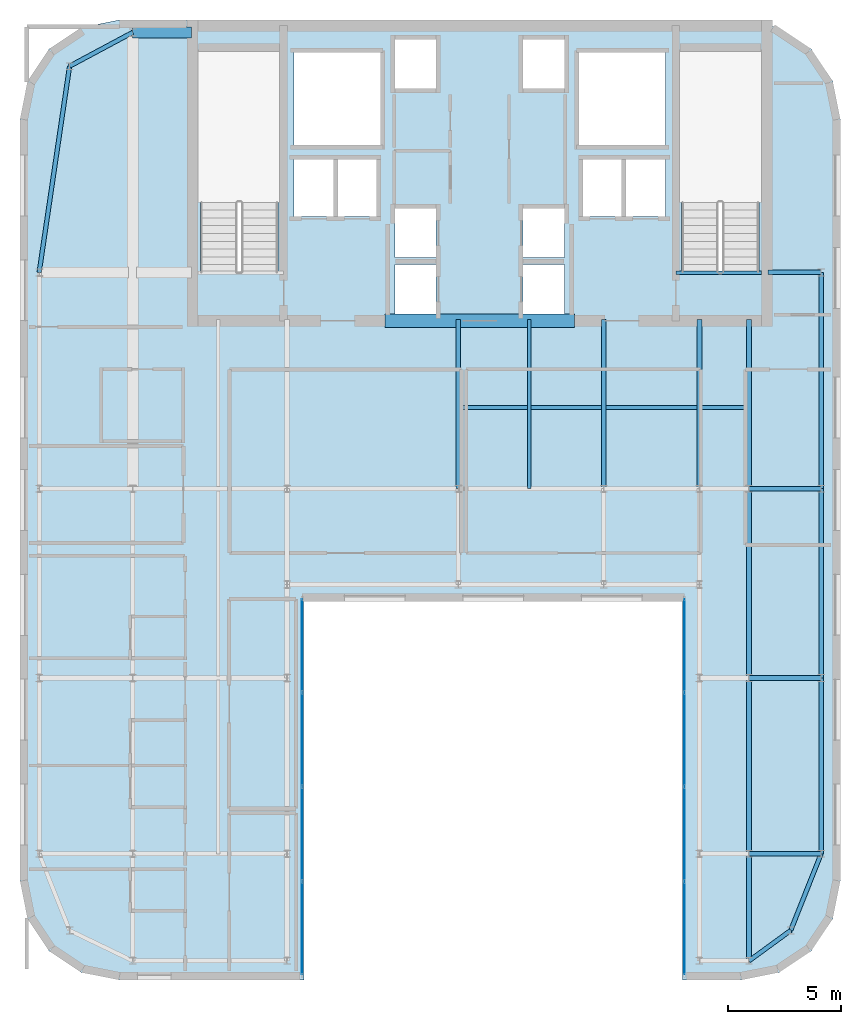
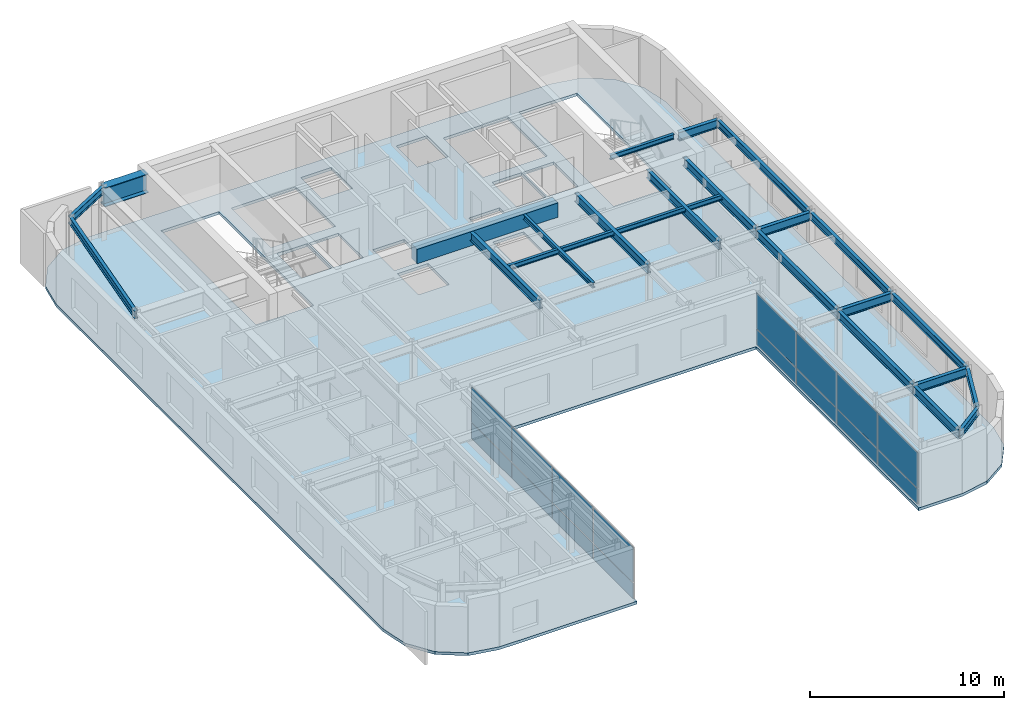
# One storey, part 12 of 18: 23 beams, 16 plates, 1 slab, 2 elements without a shape of their own.
"""IFC4 building model written with IfcOpenShell, lengths in metres."""

from ifc_helpers import new_model, si_unit, direction, frame, origin, origin_2d, place, context, subcontext, project, spatial, polyline, rectangle, i_section, outline, extrude, source, transform, mapped, material, layer, layer_set, material_profile, profile_set, type_object, type_shapes, element, aggregate, save


model = new_model("IFC4")

# Units and contexts
model_context = context("Model", 3, precision=1e-05, world=origin(), true_north=direction((0.0, 1.0)))
body_context = subcontext(model_context, "Body", "Model", "MODEL_VIEW")
ifc_project = project(units=[si_unit("LENGTHUNIT", "METRE"), si_unit("AREAUNIT", "SQUARE_METRE"), si_unit("VOLUMEUNIT", "CUBIC_METRE"), si_unit("PLANEANGLEUNIT", "RADIAN"), si_unit("MASSUNIT", "GRAM", prefix="KILO")], contexts=[model_context])

# Site, building, storey
site_placement = place(None, origin())
site = spatial("IfcSite", under=ifc_project, at=site_placement, CompositionType="ELEMENT")
building_placement = place(site_placement, origin())
building = spatial("IfcBuilding", under=site, at=building_placement, Name="Tolvann Quenvar Hotel", CompositionType="ELEMENT")
storey_placement = place(building_placement, frame((0.0, 0.0, 245.199951171875)))
storey = spatial("IfcBuildingStorey", under=building, at=storey_placement, Name="L65", CompositionType="ELEMENT", Elevation=245.199951171875)

# Beams
ifc_material_1 = material(Name="Concrete N50 (50 MPa)", Category="concrete")
ifc_material_profile_1 = material_profile(ifc_material_1, rectangle(XDim=0.60009765625, YDim=0.89990234375, at=origin_2d()), Name="RC600x900")
ifc_profile_set_1 = profile_set([ifc_material_profile_1], Name="Concrete N50 (50 MPa)")
beam_type_1 = type_object("IfcBeamType", Name="BM_LINT_RC600x900", PredefinedType="LINTEL", material=ifc_profile_set_1)
shared_shape_1 = source(origin(), body_context, "Body", "SweptSolid", [
    extrude(rectangle(XDim=0.60009765625, YDim=0.89990234375, at=origin_2d()), origin(), (0.0, 0.0, 1.0), 8.39990234375),
])
type_shapes(beam_type_1, [shared_shape_1])
beam_1_placement = place(storey_placement, frame((18.800048828125, 31.85009765625, 2.920166015625), z_axis=(1.0, 0.0, 0.0), x_axis=(0.0, 1.0, 0.0)))
element("IfcBeam", 1, at=beam_1_placement, inside=storey, type_object=beam_type_1, Name="Core Coupling Lintel Beam (L65)", PredefinedType="LINTEL", context=body_context, shape_type="MappedRepresentation", body=[
    mapped(shared_shape_1, transform((0.0, 0.0, 0.0), x_axis=(1.0, 0.0, 0.0), y_axis=(0.0, 1.0, 0.0), z_axis=(0.0, 0.0, 1.0), scale=1.0)),
])
ifc_material_2 = material(Name="Steel Grade 350", Category="steel")
ifc_material_profile_2 = material_profile(ifc_material_2, i_section(OverallWidth=0.208984375, OverallDepth=0.532958984375, WebThickness=0.01025390625, FlangeThickness=0.015625, FilletRadius=0.013916015625, at=origin_2d()), Name="530UB92")
ifc_profile_set_2 = profile_set([ifc_material_profile_2], Name="Steel Grade 350")
beam_type_2 = type_object("IfcBeamType", Name="BM_GIRD_530UB92", PredefinedType="BEAM", material=ifc_profile_set_2)
shared_shape_2 = source(origin(), body_context, "Body", "SweptSolid", [
    extrude(i_section(OverallWidth=0.208984375, OverallDepth=0.532958984375, WebThickness=0.01025390625, FlangeThickness=0.015625, FilletRadius=0.013916015625, at=origin_2d()), origin(), (0.0, 0.0, 1.0), 7.800048828125),
])
beam_2_placement = place(storey_placement, frame((34.949951171875, 8.199951171875, 3.103515625), z_axis=(0.0, 1.0, 0.0), x_axis=(-1.0, 0.0, 0.0)))
element("IfcBeam", 2, at=beam_2_placement, inside=storey, type_object=beam_type_2, Name="BM-L65-NS-F3-F4", PredefinedType="BEAM", context=body_context, shape_type="MappedRepresentation", body=[
    mapped(shared_shape_2, transform((0.0, 0.0, 0.0), x_axis=(1.0, 0.0, 0.0), y_axis=(0.0, 1.0, 0.0), z_axis=(0.0, 0.0, 1.0), scale=1.0)),
])
shared_shape_3 = source(origin(), body_context, "Body", "SweptSolid", [
    extrude(i_section(OverallWidth=0.208984375, OverallDepth=0.532958984375, WebThickness=0.01025390625, FlangeThickness=0.015625, FilletRadius=0.013916015625, at=origin_2d()), origin(), (0.0, 0.0, 1.0), 8.39990234375),
])
beam_3_placement = place(storey_placement, frame((34.949951171875, 16.0, 3.103515625), z_axis=(0.0, 1.0, 0.0), x_axis=(-1.0, 0.0, 0.0)))
element("IfcBeam", 3, at=beam_3_placement, inside=storey, type_object=beam_type_2, Name="BM-L65-NS-F4-F5", PredefinedType="BEAM", context=body_context, shape_type="MappedRepresentation", body=[
    mapped(shared_shape_3, transform((0.0, 0.0, 0.0), x_axis=(1.0, 0.0, 0.0), y_axis=(0.0, 1.0, 0.0), z_axis=(0.0, 0.0, 1.0), scale=1.0)),
])
ifc_material_profile_3 = material_profile(ifc_material_2, i_section(OverallWidth=0.5, OverallDepth=1.199951171875, WebThickness=0.01611328125, FlangeThickness=0.0400390625, at=origin_2d()), Name="1200WB455")
ifc_profile_set_3 = profile_set([ifc_material_profile_3], Name="Steel Grade 350")
beam_type_3 = type_object("IfcBeamType", Name="BM_TG_1200WB455", PredefinedType="USERDEFINED", material=ifc_profile_set_3)
shared_shape_4 = source(origin(), body_context, "Body", "SweptSolid", [
    extrude(i_section(OverallWidth=0.5, OverallDepth=1.199951171875, WebThickness=0.01611328125, FlangeThickness=0.0400390625, at=origin_2d()), origin(), (0.0, 0.0, 1.0), 2.599853515625),
])
type_shapes(beam_type_3, [shared_shape_4])
beam_4_placement = place(storey_placement, frame((7.60009765625, 44.64990234375, 2.77001953125), z_axis=(1.0, 0.0, 0.0), x_axis=(0.0, 1.0, 0.0)))
element("IfcBeam", 4, at=beam_4_placement, inside=storey, type_object=beam_type_3, Name="BM-L65-CTW-CN", ObjectType="TRANSFER GIRDER", PredefinedType="USERDEFINED", context=body_context, shape_type="MappedRepresentation", body=[
    mapped(shared_shape_4, transform((0.0, 0.0, 0.0), x_axis=(1.0, 0.0, 0.0), y_axis=(0.0, 1.0, 0.0), z_axis=(0.0, 0.0, 1.0), scale=1.0)),
])
ifc_material_profile_4 = material_profile(ifc_material_2, i_section(OverallWidth=0.166015625, OverallDepth=0.306884765625, WebThickness=0.006591796875, FlangeThickness=0.01171875, FilletRadius=0.011474609375, at=origin_2d()), Name="310UB46")
ifc_profile_set_4 = profile_set([ifc_material_profile_4], Name="Steel Grade 350")
beam_type_4 = type_object("IfcBeamType", Name="BM_JOIST_310UB46", PredefinedType="JOIST", material=ifc_profile_set_4)
shared_shape_5 = source(origin(), body_context, "Body", "SweptSolid", [
    extrude(i_section(OverallWidth=0.166015625, OverallDepth=0.306884765625, WebThickness=0.006591796875, FlangeThickness=0.01171875, FilletRadius=0.011474609375, at=origin_2d()), origin(), (0.0, 0.0, 1.0), 3.800048828125),
])
beam_5_placement = place(storey_placement, frame((31.699951171875, 33.97998046875, 3.216552734375), z_axis=(1.0, 0.0, 0.0), x_axis=(0.0, 1.0, 0.0)))
element("IfcBeam", 5, at=beam_5_placement, inside=storey, type_object=beam_type_4, Name="BM-HDR-STC2-L66", PredefinedType="JOIST", context=body_context, shape_type="MappedRepresentation", body=[
    mapped(shared_shape_5, transform((0.0, 0.0, 0.0), x_axis=(1.0, 0.0, 0.0), y_axis=(0.0, 1.0, 0.0), z_axis=(0.0, 0.0, 1.0), scale=1.0)),
])
shared_shape_6 = source(origin(), body_context, "Body", "SweptSolid", [
    extrude(i_section(OverallWidth=0.208984375, OverallDepth=0.532958984375, WebThickness=0.01025390625, FlangeThickness=0.015625, FilletRadius=0.013916015625, at=origin_2d()), origin(), (0.0, 0.0, 1.0), 4.75),
])
beam_6_placement = place(storey_placement, frame((34.949951171875, 3.449951171875, 3.103515625), z_axis=(0.0, 1.0, 0.0), x_axis=(-1.0, 0.0, 0.0)))
element("IfcBeam", 6, at=beam_6_placement, inside=storey, type_object=beam_type_2, Name="BM-L65-NS-F2-F3", PredefinedType="BEAM", context=body_context, shape_type="MappedRepresentation", body=[
    mapped(shared_shape_6, transform((0.0, 0.0, 0.0), x_axis=(1.0, 0.0, 0.0), y_axis=(0.0, 1.0, 0.0), z_axis=(0.0, 0.0, 1.0), scale=1.0)),
])
ifc_material_profile_5 = material_profile(ifc_material_2, i_section(OverallWidth=0.19091796875, OverallDepth=0.4599609375, WebThickness=0.010009765625, FlangeThickness=0.01611328125, FilletRadius=0.011474609375, at=origin_2d()), Name="460UB82")
ifc_profile_set_5 = profile_set([ifc_material_profile_5], Name="Steel Grade 350")
beam_type_5 = type_object("IfcBeamType", Name="BM_SPAND_460UB82", PredefinedType="SPANDREL", material=ifc_profile_set_5)
shared_shape_7 = source(origin(), body_context, "Body", "SweptSolid", [
    extrude(i_section(OverallWidth=0.19091796875, OverallDepth=0.4599609375, WebThickness=0.010009765625, FlangeThickness=0.01611328125, FilletRadius=0.011474609375, at=origin_2d()), origin(), (0.0, 0.0, 1.0), 7.800048828125),
])
beam_7_placement = place(storey_placement, frame((38.14990234375, 8.199951171875, 3.14013671875), z_axis=(0.0, 1.0, 0.0), x_axis=(-1.0, 0.0, 0.0)))
element("IfcBeam", 7, at=beam_7_placement, inside=storey, type_object=beam_type_5, Name="BM-L65-NS-G3-G4", PredefinedType="SPANDREL", context=body_context, shape_type="MappedRepresentation", body=[
    mapped(shared_shape_7, transform((0.0, 0.0, 0.0), x_axis=(1.0, 0.0, 0.0), y_axis=(0.0, 1.0, 0.0), z_axis=(0.0, 0.0, 1.0), scale=1.0)),
])
shared_shape_8 = source(origin(), body_context, "Body", "SweptSolid", [
    extrude(i_section(OverallWidth=0.19091796875, OverallDepth=0.4599609375, WebThickness=0.010009765625, FlangeThickness=0.01611328125, FilletRadius=0.011474609375, at=origin_2d()), origin(), (0.0, 0.0, 1.0), 8.39990234375),
])
beam_8_placement = place(storey_placement, frame((38.14990234375, 16.0, 3.14013671875), z_axis=(0.0, 1.0, 0.0), x_axis=(-1.0, 0.0, 0.0)))
element("IfcBeam", 8, at=beam_8_placement, inside=storey, type_object=beam_type_5, Name="BM-L65-NS-G4-G5", PredefinedType="SPANDREL", context=body_context, shape_type="MappedRepresentation", body=[
    mapped(shared_shape_8, transform((0.0, 0.0, 0.0), x_axis=(1.0, 0.0, 0.0), y_axis=(0.0, 1.0, 0.0), z_axis=(0.0, 0.0, 1.0), scale=1.0)),
])
shared_shape_9 = source(origin(), body_context, "Body", "SweptSolid", [
    extrude(i_section(OverallWidth=0.19091796875, OverallDepth=0.4599609375, WebThickness=0.010009765625, FlangeThickness=0.01611328125, FilletRadius=0.011474609375, at=origin_2d()), origin(), (0.0, 0.0, 1.0), 3.657958984375),
])
beam_9_placement = place(storey_placement, frame((36.800048828125, 4.800048828125, 3.14013671875), z_axis=(0.369007513371, 0.929426411867, 0.0), x_axis=(-0.929426411867, 0.369007513371, 0.0)))
element("IfcBeam", 9, at=beam_9_placement, inside=storey, type_object=beam_type_5, Name="BM-L65-NS-G2-G3", PredefinedType="SPANDREL", context=body_context, shape_type="MappedRepresentation", body=[
    mapped(shared_shape_9, transform((0.0, 0.0, 0.0), x_axis=(1.0, 0.0, 0.0), y_axis=(0.0, 1.0, 0.0), z_axis=(0.0, 0.0, 1.0), scale=1.0)),
])
shared_shape_10 = source(origin(), body_context, "Body", "SweptSolid", [
    extrude(i_section(OverallWidth=0.19091796875, OverallDepth=0.4599609375, WebThickness=0.010009765625, FlangeThickness=0.01611328125, FilletRadius=0.011474609375, at=origin_2d()), origin(), (0.0, 0.0, 1.0), 9.60009765625),
])
beam_10_placement = place(storey_placement, frame((38.14990234375, 24.39990234375, 3.14013671875), z_axis=(0.0, 1.0, 0.0), x_axis=(-1.0, 0.0, 0.0)))
element("IfcBeam", 10, at=beam_10_placement, inside=storey, type_object=beam_type_5, Name="BM-L65-FLK-G1", PredefinedType="SPANDREL", context=body_context, shape_type="MappedRepresentation", body=[
    mapped(shared_shape_10, transform((0.0, 0.0, 0.0), x_axis=(1.0, 0.0, 0.0), y_axis=(0.0, 1.0, 0.0), z_axis=(0.0, 0.0, 1.0), scale=1.0)),
])
shared_shape_11 = source(origin(), body_context, "Body", "SweptSolid", [
    extrude(i_section(OverallWidth=0.19091796875, OverallDepth=0.4599609375, WebThickness=0.010009765625, FlangeThickness=0.01611328125, FilletRadius=0.011474609375, at=origin_2d()), origin(), (0.0, 0.0, 1.0), 9.2490234375),
])
beam_11_placement = place(storey_placement, frame((3.449951171875, 34.0, 3.14013671875), z_axis=(0.145972731602, 0.989288613918, 0.0), x_axis=(-0.989288613918, 0.145972731602, 0.0)))
element("IfcBeam", 11, at=beam_11_placement, inside=storey, type_object=beam_type_5, Name="BM-L65-FLK-W2", PredefinedType="SPANDREL", context=body_context, shape_type="MappedRepresentation", body=[
    mapped(shared_shape_11, transform((0.0, 0.0, 0.0), x_axis=(1.0, 0.0, 0.0), y_axis=(0.0, 1.0, 0.0), z_axis=(0.0, 0.0, 1.0), scale=1.0)),
])
shared_shape_12 = source(origin(), body_context, "Body", "SweptSolid", [
    extrude(i_section(OverallWidth=0.19091796875, OverallDepth=0.4599609375, WebThickness=0.010009765625, FlangeThickness=0.01611328125, FilletRadius=0.011474609375, at=origin_2d()), origin(), (0.0, 0.0, 1.0), 3.176513671875),
])
beam_12_placement = place(storey_placement, frame((4.800048828125, 43.14990234375, 3.14013671875), z_axis=(0.881483397762, 0.472215014025, 0.0), x_axis=(-0.472215014025, 0.881483397762, 0.0)))
element("IfcBeam", 12, at=beam_12_placement, inside=storey, type_object=beam_type_5, Name="BM-L65-FLK-W3", PredefinedType="SPANDREL", context=body_context, shape_type="MappedRepresentation", body=[
    mapped(shared_shape_12, transform((0.0, 0.0, 0.0), x_axis=(1.0, 0.0, 0.0), y_axis=(0.0, 1.0, 0.0), z_axis=(0.0, 0.0, 1.0), scale=1.0)),
])
shared_shape_13 = source(origin(), body_context, "Body", "SweptSolid", [
    extrude(i_section(OverallWidth=0.166015625, OverallDepth=0.306884765625, WebThickness=0.006591796875, FlangeThickness=0.01171875, FilletRadius=0.011474609375, at=origin_2d()), origin(), (0.0, 0.0, 1.0), 12.89990234375),
])
beam_13_placement = place(storey_placement, frame((22.050048828125, 28.0, 3.216552734375), z_axis=(1.0, 0.0, 0.0), x_axis=(0.0, 1.0, 0.0)))
element("IfcBeam", 13, at=beam_13_placement, inside=storey, type_object=beam_type_4, Name="BM-L65-SPINE-28", PredefinedType="JOIST", context=body_context, shape_type="MappedRepresentation", body=[
    mapped(shared_shape_13, transform((0.0, 0.0, 0.0), x_axis=(1.0, 0.0, 0.0), y_axis=(0.0, 1.0, 0.0), z_axis=(0.0, 0.0, 1.0), scale=1.0)),
])
shared_shape_14 = source(origin(), body_context, "Body", "SweptSolid", [
    extrude(i_section(OverallWidth=0.166015625, OverallDepth=0.306884765625, WebThickness=0.006591796875, FlangeThickness=0.01171875, FilletRadius=0.011474609375, at=origin_2d()), origin(), (0.0, 0.0, 1.0), 7.5),
])
type_shapes(beam_type_4, [shared_shape_5, shared_shape_13, shared_shape_14])
beam_14_placement = place(storey_placement, frame((25.199951171875, 24.39990234375, 3.216552734375), z_axis=(0.0, 1.0, 0.0), x_axis=(-1.0, 0.0, 0.0)))
element("IfcBeam", 14, at=beam_14_placement, inside=storey, type_object=beam_type_4, Name="BJ-L65-252-244", PredefinedType="JOIST", context=body_context, shape_type="MappedRepresentation", body=[
    mapped(shared_shape_14, transform((0.0, 0.0, 0.0), x_axis=(1.0, 0.0, 0.0), y_axis=(0.0, 1.0, 0.0), z_axis=(0.0, 0.0, 1.0), scale=1.0)),
])
shared_shape_15 = source(origin(), body_context, "Body", "SweptSolid", [
    extrude(i_section(OverallWidth=0.19091796875, OverallDepth=0.4599609375, WebThickness=0.010009765625, FlangeThickness=0.01611328125, FilletRadius=0.011474609375, at=origin_2d()), origin(), (0.0, 0.0, 1.0), 2.290283203125),
])
type_shapes(beam_type_5, [shared_shape_7, shared_shape_8, shared_shape_9, shared_shape_10, shared_shape_11, shared_shape_12, shared_shape_15])
beam_15_placement = place(storey_placement, frame((34.949951171875, 3.449951171875, 3.14013671875), z_axis=(0.807785460512, 0.589476589684, 0.0), x_axis=(-0.589476589684, 0.807785460512, 0.0)))
element("IfcBeam", 15, at=beam_15_placement, inside=storey, type_object=beam_type_5, Name="BM-L65-EW-2-F2-G2", PredefinedType="SPANDREL", context=body_context, shape_type="MappedRepresentation", body=[
    mapped(shared_shape_15, transform((0.0, 0.0, 0.0), x_axis=(1.0, 0.0, 0.0), y_axis=(0.0, 1.0, 0.0), z_axis=(0.0, 0.0, 1.0), scale=1.0)),
])
shared_shape_16 = source(origin(), body_context, "Body", "SweptSolid", [
    extrude(i_section(OverallWidth=0.208984375, OverallDepth=0.532958984375, WebThickness=0.01025390625, FlangeThickness=0.015625, FilletRadius=0.013916015625, at=origin_2d()), origin(), (0.0, 0.0, 1.0), 3.199951171875),
])
for number, where, z_axis, x_axis, name in (
    (16, (34.949951171875, 8.199951171875, 3.103515625), (1.0, 0.0, 0.0), (0.0, 1.0, 0.0), "BM-L65-EW-3-F3-G3"),
    (17, (34.949951171875, 16.0, 3.103515625), (1.0, 0.0, 0.0), (0.0, 1.0, 0.0), "BM-L65-EW-4-F4-G4"),
    (18, (34.949951171875, 24.39990234375, 3.103515625), (1.0, 0.0, 0.0), (0.0, 1.0, 0.0), "BM-L65-EW-5-F5-G5"),
):
    element("IfcBeam", number, at=place(storey_placement, frame(where, z_axis=z_axis, x_axis=x_axis)), inside=storey, type_object=beam_type_2, Name=name, PredefinedType="BEAM", context=body_context, shape_type="MappedRepresentation", body=[
        mapped(shared_shape_16, transform((0.0, 0.0, 0.0), x_axis=(1.0, 0.0, 0.0), y_axis=(0.0, 1.0, 0.0), z_axis=(0.0, 0.0, 1.0), scale=1.0)),
    ])
shared_shape_17 = source(origin(), body_context, "Body", "SweptSolid", [
    extrude(i_section(OverallWidth=0.208984375, OverallDepth=0.532958984375, WebThickness=0.01025390625, FlangeThickness=0.015625, FilletRadius=0.013916015625, at=origin_2d()), origin(), (0.0, 0.0, 1.0), 7.5),
])
for number, where, z_axis, x_axis, name in (
    (19, (22.050048828125, 24.39990234375, 3.103515625), (0.0, 1.0, 0.0), (-1.0, 0.0, 0.0), "BM-L65-CORE-E5"),
    (20, (34.949951171875, 24.39990234375, 3.103515625), (0.0, 1.0, 0.0), (-1.0, 0.0, 0.0), "BM-L65-CORE-F5"),
    (21, (32.75, 24.39990234375, 3.103515625), (0.0, 1.0, 0.0), (-1.0, 0.0, 0.0), "BM-L65-CORE-FP5"),
    (22, (28.5, 24.39990234375, 3.103515625), (0.0, 1.0, 0.0), (-1.0, 0.0, 0.0), "BM-L65-CORE-M5"),
):
    element("IfcBeam", number, at=place(storey_placement, frame(where, z_axis=z_axis, x_axis=x_axis)), inside=storey, type_object=beam_type_2, Name=name, PredefinedType="BEAM", context=body_context, shape_type="MappedRepresentation", body=[
        mapped(shared_shape_17, transform((0.0, 0.0, 0.0), x_axis=(1.0, 0.0, 0.0), y_axis=(0.0, 1.0, 0.0), z_axis=(0.0, 0.0, 1.0), scale=1.0)),
    ])
shared_shape_18 = source(origin(), body_context, "Body", "SweptSolid", [
    extrude(i_section(OverallWidth=0.208984375, OverallDepth=0.532958984375, WebThickness=0.01025390625, FlangeThickness=0.015625, FilletRadius=0.013916015625, at=origin_2d()), origin(), (0.0, 0.0, 1.0), 2.349853515625),
])
type_shapes(beam_type_2, [shared_shape_2, shared_shape_3, shared_shape_6, shared_shape_16, shared_shape_17, shared_shape_18])
beam_16_placement = place(storey_placement, frame((35.800048828125, 34.0, 3.103515625), z_axis=(1.0, 0.0, 0.0), x_axis=(0.0, 1.0, 0.0)))
element("IfcBeam", 23, at=beam_16_placement, inside=storey, type_object=beam_type_2, Name="BM-L65-CTE-GD6", PredefinedType="BEAM", context=body_context, shape_type="MappedRepresentation", body=[
    mapped(shared_shape_18, transform((0.0, 0.0, 0.0), x_axis=(1.0, 0.0, 0.0), y_axis=(0.0, 1.0, 0.0), z_axis=(0.0, 0.0, 1.0), scale=1.0)),
])

# Slab
ifc_material_3 = material(Name="Concrete N40 (40 MPa)", Category="concrete")
ifc_layer_1 = layer(ifc_material_3, 0.179931640625)
ifc_layer_set_1 = layer_set([ifc_layer_1], Name="Concrete N40 (40 MPa)")
slab_type = type_object("IfcSlabType", Name="SLAB_TWR_180", PredefinedType="FLOOR", material=ifc_layer_set_1)
slab_placement = place(storey_placement, frame((0.0, 0.0, -0.179931640625)))
element("IfcSlab", 24, at=slab_placement, inside=storey, type_object=slab_type, Name="Level L65 Structural Floor Slab", PredefinedType="FLOOR", context=body_context, shape_type="SweptSolid", body=[
    extrude(outline(polyline([(2.60009765625, 7.0), (2.934814453125, 5.316162109375), (3.888671875, 3.888671875), (5.316162109375, 2.934814453125), (7.0, 2.60009765625), (15.199951171875, 2.60009765625), (15.199951171875, 19.39990234375), (32.0, 19.39990234375), (32.0, 2.60009765625), (34.60009765625, 2.60009765625), (36.28369140625, 2.934814453125), (37.711181640625, 3.888671875), (38.6650390625, 5.316162109375), (39.0, 7.0), (39.0, 40.800048828125), (38.6650390625, 42.48388671875), (37.711181640625, 43.911376953125), (36.28369140625, 44.864990234375), (34.60009765625, 45.199951171875), (7.0, 45.199951171875), (5.316162109375, 44.864990234375), (3.888671875, 43.911376953125), (2.934814453125, 42.48388671875), (2.60009765625, 40.800048828125), (2.60009765625, 7.0)]), holes=[polyline([(31.949951171875, 34.02490234375), (31.949951171875, 43.800048828125), (35.39990234375, 43.800048828125), (35.39990234375, 34.02490234375), (31.949951171875, 34.02490234375)]), polyline([(27.39990234375, 43.75), (31.25, 43.75), (31.25, 39.64990234375), (27.39990234375, 39.64990234375), (27.39990234375, 43.75)]), polyline([(29.449951171875, 39.02001953125), (31.25, 39.02001953125), (31.25, 36.47998046875), (29.449951171875, 36.47998046875), (29.449951171875, 39.02001953125)]), polyline([(27.574951171875, 39.02001953125), (29.324951171875, 39.02001953125), (29.324951171875, 36.47998046875), (27.574951171875, 36.47998046875), (27.574951171875, 39.02001953125)]), polyline([(24.929931640625, 36.840087890625), (26.77001953125, 36.840087890625), (26.77001953125, 34.659912109375), (24.929931640625, 34.659912109375), (24.929931640625, 36.840087890625)]), polyline([(24.929931640625, 44.340087890625), (26.77001953125, 44.340087890625), (26.77001953125, 42.159912109375), (24.929931640625, 42.159912109375), (24.929931640625, 44.340087890625)]), polyline([(24.929931640625, 32.159912109375), (24.929931640625, 34.340087890625), (26.77001953125, 34.340087890625), (26.77001953125, 32.159912109375), (24.929931640625, 32.159912109375)]), polyline([(19.22998046875, 36.840087890625), (21.070068359375, 36.840087890625), (21.070068359375, 34.659912109375), (19.22998046875, 34.659912109375), (19.22998046875, 36.840087890625)]), polyline([(19.22998046875, 44.340087890625), (21.070068359375, 44.340087890625), (21.070068359375, 42.159912109375), (19.22998046875, 42.159912109375), (19.22998046875, 44.340087890625)]), polyline([(19.22998046875, 32.159912109375), (19.22998046875, 34.340087890625), (21.070068359375, 34.340087890625), (21.070068359375, 32.159912109375), (19.22998046875, 32.159912109375)]), polyline([(14.75, 43.75), (18.60009765625, 43.75), (18.60009765625, 39.64990234375), (14.75, 39.64990234375), (14.75, 43.75)]), polyline([(16.675048828125, 39.02001953125), (18.425048828125, 39.02001953125), (18.425048828125, 36.47998046875), (16.675048828125, 36.47998046875), (16.675048828125, 39.02001953125)]), polyline([(14.75, 39.02001953125), (16.550048828125, 39.02001953125), (16.550048828125, 36.47998046875), (14.75, 36.47998046875), (14.75, 39.02001953125)]), polyline([(10.60009765625, 34.02490234375), (10.60009765625, 43.800048828125), (14.050048828125, 43.800048828125), (14.050048828125, 34.02490234375), (10.60009765625, 34.02490234375)])]), origin(), (0.0, 0.0, 1.0), 0.179931640625),
])

# Curtain wall, plates
ifc_material_4 = material(Name="Thermally broken anodised architectural aluminium 6063-T6 and laminated low-E glass", Category="aluminium")
ifc_layer_2 = layer(ifc_material_4, 0.179931640625)
ifc_layer_set_2 = layer_set([ifc_layer_2], Name="Thermally broken anodised architectural aluminium 6063-T6 and laminated low-E glass")
curtain_wall_type = type_object("IfcCurtainWallType", Name="CW_SYS_PORTAL_05", PredefinedType="USERDEFINED", material=ifc_layer_set_2)
curtain_wall_1_placement = place(storey_placement, origin())
curtain_wall_1 = element("IfcCurtainWall", 25, at=curtain_wall_1_placement, inside=storey, type_object=curtain_wall_type, Name="Curtain Wall CW-PORTAL-05 (CWR-L65-E05)", ObjectType="UNITISED CURTAIN WALL", PredefinedType="USERDEFINED")
ifc_material_5 = material(Name="Low-iron laminated double glazing with solar-control coating", Category="glass")
ifc_layer_3 = layer(ifc_material_5, 0.028076171875)
ifc_layer_set_3 = layer_set([ifc_layer_3], Name="Low-iron laminated double glazing with solar-control coating")
plate_type = type_object("IfcPlateType", Name="CW_PAN_VISION_28", PredefinedType="CURTAIN_PANEL", material=ifc_layer_set_3)
shared_shape_19 = source(origin(), body_context, "Body", "SweptSolid", [
    extrude(rectangle(XDim=4.094970703125, YDim=0.028076171875, at=origin_2d()), origin(), (0.0, 0.0, 1.0), 0.9599609375),
])
plate_1_placement = place(storey_placement, frame((15.110107421875, 4.892578125, 0.06005859375), z_axis=(0.0, 0.0, 1.0), x_axis=(0.0, 1.0, 0.0)))
plate_1 = element("IfcPlate", 26, at=plate_1_placement, type_object=plate_type, Name="CW-PORTAL-05 panel 1.1", PredefinedType="CURTAIN_PANEL", context=body_context, shape_type="MappedRepresentation", body=[
    mapped(shared_shape_19, transform((0.0, 0.0, 0.0), x_axis=(1.0, 0.0, 0.0), y_axis=(0.0, 1.0, 0.0), z_axis=(0.0, 0.0, 1.0), scale=1.0)),
])
plate_2_placement = place(storey_placement, frame((15.110107421875, 17.45751953125, 0.06005859375), z_axis=(0.0, 0.0, 1.0), x_axis=(0.0, 1.0, 0.0)))
plate_2 = element("IfcPlate", 27, at=plate_2_placement, type_object=plate_type, Name="CW-PORTAL-05 panel 4.1", PredefinedType="CURTAIN_PANEL", context=body_context, shape_type="MappedRepresentation", body=[
    mapped(shared_shape_19, transform((0.0, 0.0, 0.0), x_axis=(1.0, 0.0, 0.0), y_axis=(0.0, 1.0, 0.0), z_axis=(0.0, 0.0, 1.0), scale=1.0)),
])

curtain_wall_2_placement = place(storey_placement, origin())
curtain_wall_2 = element("IfcCurtainWall", 28, at=curtain_wall_2_placement, inside=storey, type_object=curtain_wall_type, Name="Curtain Wall CW-PORTAL-05 (CWR-L65-E07)", ObjectType="UNITISED CURTAIN WALL", PredefinedType="USERDEFINED")
plate_3_placement = place(storey_placement, frame((32.090087890625, 17.45751953125, 0.06005859375), z_axis=(0.0, 0.0, 1.0), x_axis=(0.0, -1.0, 0.0)))
plate_3 = element("IfcPlate", 29, at=plate_3_placement, type_object=plate_type, Name="CW-PORTAL-05 panel 1.1", PredefinedType="CURTAIN_PANEL", context=body_context, shape_type="MappedRepresentation", body=[
    mapped(shared_shape_19, transform((0.0, 0.0, 0.0), x_axis=(1.0, 0.0, 0.0), y_axis=(0.0, 1.0, 0.0), z_axis=(0.0, 0.0, 1.0), scale=1.0)),
])
plate_4_placement = place(storey_placement, frame((32.090087890625, 4.892578125, 0.06005859375), z_axis=(0.0, 0.0, 1.0), x_axis=(0.0, -1.0, 0.0)))
plate_4 = element("IfcPlate", 30, at=plate_4_placement, type_object=plate_type, Name="CW-PORTAL-05 panel 4.1", PredefinedType="CURTAIN_PANEL", context=body_context, shape_type="MappedRepresentation", body=[
    mapped(shared_shape_19, transform((0.0, 0.0, 0.0), x_axis=(1.0, 0.0, 0.0), y_axis=(0.0, 1.0, 0.0), z_axis=(0.0, 0.0, 1.0), scale=1.0)),
])

# Plate
shared_shape_20 = source(origin(), body_context, "Body", "SweptSolid", [
    extrude(rectangle(XDim=4.094970703125, YDim=0.028076171875, at=origin_2d()), origin(), (0.0, 0.0, 1.0), 2.22998046875),
])
plate_5_placement = place(storey_placement, frame((15.110107421875, 4.892578125, 1.080078125), z_axis=(0.0, 0.0, 1.0), x_axis=(0.0, 1.0, 0.0)))
plate_5 = element("IfcPlate", 31, at=plate_5_placement, type_object=plate_type, Name="CW-PORTAL-05 panel 1.2", PredefinedType="CURTAIN_PANEL", context=body_context, shape_type="MappedRepresentation", body=[
    mapped(shared_shape_20, transform((0.0, 0.0, 0.0), x_axis=(1.0, 0.0, 0.0), y_axis=(0.0, 1.0, 0.0), z_axis=(0.0, 0.0, 1.0), scale=1.0)),
])

plate_6_placement = place(storey_placement, frame((15.110107421875, 17.45751953125, 1.080078125), z_axis=(0.0, 0.0, 1.0), x_axis=(0.0, 1.0, 0.0)))
plate_6 = element("IfcPlate", 32, at=plate_6_placement, type_object=plate_type, Name="CW-PORTAL-05 panel 4.2", PredefinedType="CURTAIN_PANEL", context=body_context, shape_type="MappedRepresentation", body=[
    mapped(shared_shape_20, transform((0.0, 0.0, 0.0), x_axis=(1.0, 0.0, 0.0), y_axis=(0.0, 1.0, 0.0), z_axis=(0.0, 0.0, 1.0), scale=1.0)),
])

plate_7_placement = place(storey_placement, frame((32.090087890625, 17.45751953125, 1.080078125), z_axis=(0.0, 0.0, 1.0), x_axis=(0.0, -1.0, 0.0)))
plate_7 = element("IfcPlate", 33, at=plate_7_placement, type_object=plate_type, Name="CW-PORTAL-05 panel 1.2", PredefinedType="CURTAIN_PANEL", context=body_context, shape_type="MappedRepresentation", body=[
    mapped(shared_shape_20, transform((0.0, 0.0, 0.0), x_axis=(1.0, 0.0, 0.0), y_axis=(0.0, 1.0, 0.0), z_axis=(0.0, 0.0, 1.0), scale=1.0)),
])

plate_8_placement = place(storey_placement, frame((32.090087890625, 4.892578125, 1.080078125), z_axis=(0.0, 0.0, 1.0), x_axis=(0.0, -1.0, 0.0)))
plate_8 = element("IfcPlate", 34, at=plate_8_placement, type_object=plate_type, Name="CW-PORTAL-05 panel 4.2", PredefinedType="CURTAIN_PANEL", context=body_context, shape_type="MappedRepresentation", body=[
    mapped(shared_shape_20, transform((0.0, 0.0, 0.0), x_axis=(1.0, 0.0, 0.0), y_axis=(0.0, 1.0, 0.0), z_axis=(0.0, 0.0, 1.0), scale=1.0)),
])

shared_shape_21 = source(origin(), body_context, "Body", "SweptSolid", [
    extrude(rectangle(XDim=4.1298828125, YDim=0.028076171875, at=origin_2d()), origin(), (0.0, 0.0, 1.0), 0.9599609375),
])
plate_9_placement = place(storey_placement, frame((15.110107421875, 9.074951171875, 0.06005859375), z_axis=(0.0, 0.0, 1.0), x_axis=(0.0, 1.0, 0.0)))
plate_9 = element("IfcPlate", 35, at=plate_9_placement, type_object=plate_type, Name="CW-PORTAL-05 panel 2.1", PredefinedType="CURTAIN_PANEL", context=body_context, shape_type="MappedRepresentation", body=[
    mapped(shared_shape_21, transform((0.0, 0.0, 0.0), x_axis=(1.0, 0.0, 0.0), y_axis=(0.0, 1.0, 0.0), z_axis=(0.0, 0.0, 1.0), scale=1.0)),
])

plate_10_placement = place(storey_placement, frame((15.110107421875, 13.27490234375, 0.06005859375), z_axis=(0.0, 0.0, 1.0), x_axis=(0.0, 1.0, 0.0)))
plate_10 = element("IfcPlate", 36, at=plate_10_placement, type_object=plate_type, Name="CW-PORTAL-05 panel 3.1", PredefinedType="CURTAIN_PANEL", context=body_context, shape_type="MappedRepresentation", body=[
    mapped(shared_shape_21, transform((0.0, 0.0, 0.0), x_axis=(1.0, 0.0, 0.0), y_axis=(0.0, 1.0, 0.0), z_axis=(0.0, 0.0, 1.0), scale=1.0)),
])

plate_11_placement = place(storey_placement, frame((32.090087890625, 13.27490234375, 0.06005859375), z_axis=(0.0, 0.0, 1.0), x_axis=(0.0, -1.0, 0.0)))
plate_11 = element("IfcPlate", 37, at=plate_11_placement, type_object=plate_type, Name="CW-PORTAL-05 panel 2.1", PredefinedType="CURTAIN_PANEL", context=body_context, shape_type="MappedRepresentation", body=[
    mapped(shared_shape_21, transform((0.0, 0.0, 0.0), x_axis=(1.0, 0.0, 0.0), y_axis=(0.0, 1.0, 0.0), z_axis=(0.0, 0.0, 1.0), scale=1.0)),
])

plate_12_placement = place(storey_placement, frame((32.090087890625, 9.074951171875, 0.06005859375), z_axis=(0.0, 0.0, 1.0), x_axis=(0.0, -1.0, 0.0)))
plate_12 = element("IfcPlate", 38, at=plate_12_placement, type_object=plate_type, Name="CW-PORTAL-05 panel 3.1", PredefinedType="CURTAIN_PANEL", context=body_context, shape_type="MappedRepresentation", body=[
    mapped(shared_shape_21, transform((0.0, 0.0, 0.0), x_axis=(1.0, 0.0, 0.0), y_axis=(0.0, 1.0, 0.0), z_axis=(0.0, 0.0, 1.0), scale=1.0)),
])

shared_shape_22 = source(origin(), body_context, "Body", "SweptSolid", [
    extrude(rectangle(XDim=4.1298828125, YDim=0.028076171875, at=origin_2d()), origin(), (0.0, 0.0, 1.0), 2.22998046875),
])
type_shapes(plate_type, [shared_shape_19, shared_shape_20, shared_shape_21, shared_shape_22])
plate_13_placement = place(storey_placement, frame((15.110107421875, 9.074951171875, 1.080078125), z_axis=(0.0, 0.0, 1.0), x_axis=(0.0, 1.0, 0.0)))
plate_13 = element("IfcPlate", 39, at=plate_13_placement, type_object=plate_type, Name="CW-PORTAL-05 panel 2.2", PredefinedType="CURTAIN_PANEL", context=body_context, shape_type="MappedRepresentation", body=[
    mapped(shared_shape_22, transform((0.0, 0.0, 0.0), x_axis=(1.0, 0.0, 0.0), y_axis=(0.0, 1.0, 0.0), z_axis=(0.0, 0.0, 1.0), scale=1.0)),
])

plate_14_placement = place(storey_placement, frame((15.110107421875, 13.27490234375, 1.080078125), z_axis=(0.0, 0.0, 1.0), x_axis=(0.0, 1.0, 0.0)))
plate_14 = element("IfcPlate", 40, at=plate_14_placement, type_object=plate_type, Name="CW-PORTAL-05 panel 3.2", PredefinedType="CURTAIN_PANEL", context=body_context, shape_type="MappedRepresentation", body=[
    mapped(shared_shape_22, transform((0.0, 0.0, 0.0), x_axis=(1.0, 0.0, 0.0), y_axis=(0.0, 1.0, 0.0), z_axis=(0.0, 0.0, 1.0), scale=1.0)),
])

aggregate(curtain_wall_1, [plate_1, plate_5, plate_9, plate_13, plate_10, plate_14, plate_2, plate_6])

plate_15_placement = place(storey_placement, frame((32.090087890625, 13.27490234375, 1.080078125), z_axis=(0.0, 0.0, 1.0), x_axis=(0.0, -1.0, 0.0)))
plate_15 = element("IfcPlate", 41, at=plate_15_placement, type_object=plate_type, Name="CW-PORTAL-05 panel 2.2", PredefinedType="CURTAIN_PANEL", context=body_context, shape_type="MappedRepresentation", body=[
    mapped(shared_shape_22, transform((0.0, 0.0, 0.0), x_axis=(1.0, 0.0, 0.0), y_axis=(0.0, 1.0, 0.0), z_axis=(0.0, 0.0, 1.0), scale=1.0)),
])

plate_16_placement = place(storey_placement, frame((32.090087890625, 9.074951171875, 1.080078125), z_axis=(0.0, 0.0, 1.0), x_axis=(0.0, -1.0, 0.0)))
plate_16 = element("IfcPlate", 42, at=plate_16_placement, type_object=plate_type, Name="CW-PORTAL-05 panel 3.2", PredefinedType="CURTAIN_PANEL", context=body_context, shape_type="MappedRepresentation", body=[
    mapped(shared_shape_22, transform((0.0, 0.0, 0.0), x_axis=(1.0, 0.0, 0.0), y_axis=(0.0, 1.0, 0.0), z_axis=(0.0, 0.0, 1.0), scale=1.0)),
])

aggregate(curtain_wall_2, [plate_3, plate_7, plate_11, plate_15, plate_12, plate_16, plate_4, plate_8])

save(model, "model.ifc")
